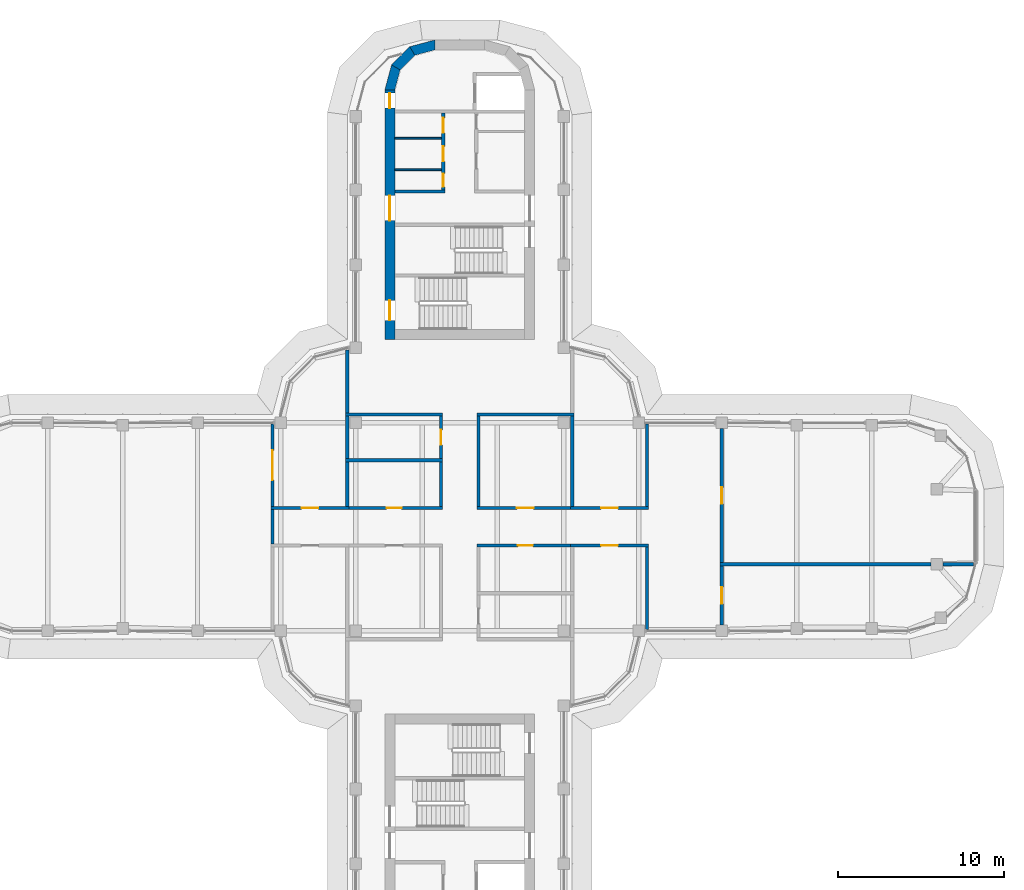
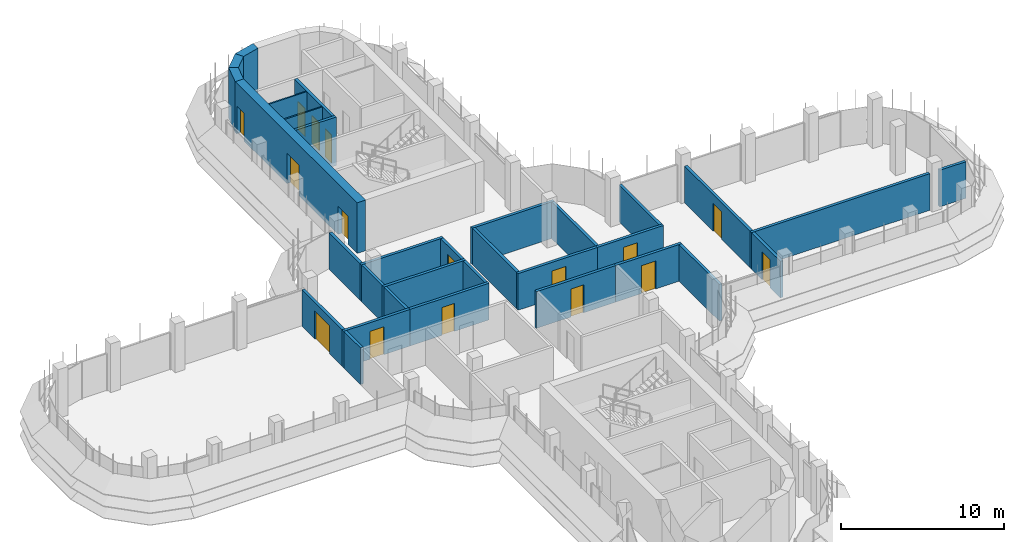
# One storey, part 14 of 19: 32 walls, 16 doors, 16 openings.
"""IFC4 building model written with IfcOpenShell, lengths in metres."""

import ifcopenshell
import ifcopenshell.guid

model = None  # the IFC model being written
_history = None  # IfcOwnerHistory: only IFC2X3 demands one
_inside = {}  # id of a spatial element -> (the spatial element, [elements in it])
_under = {}  # id of a project, library or spatial element -> (it, [spatial elements below it])
_declared = {}  # id of a project -> (the project, [libraries it declares])
_typed = {}  # id of a type object -> (the type object, [elements of that type])
_made_of = {}  # id of a material, layer set ... -> (it, [elements and type objects made of it])


def new_model(schema):
    """Start an empty IFC model of exactly this schema.

    Asked for "IFC4X3", IfcOpenShell would pick the latest addendum, in which some entities
    have other attributes; the version numbers below select the first issue.
    IFC2X3 requires an IfcOwnerHistory on every rooted entity: one is made here for all.
    """
    global model, _history
    if schema == "IFC4X3":
        model = ifcopenshell.file(schema_version=(4, 3, 0, 0))
    else:
        model = ifcopenshell.file(schema=schema)
    _inside.clear()
    _under.clear()
    _declared.clear()
    _typed.clear()
    _made_of.clear()
    _history = None
    if model.schema == "IFC2X3":
        org = make("IfcOrganization", Name="unknown")
        user = make(
            "IfcPersonAndOrganization",
            ThePerson=make("IfcPerson", FamilyName="unknown"),
            TheOrganization=org,
        )
        app = make(
            "IfcApplication",
            ApplicationDeveloper=org,
            Version="unknown",
            ApplicationFullName="unknown",
            ApplicationIdentifier="unknown",
        )
        _history = make(
            "IfcOwnerHistory",
            OwningUser=user,
            OwningApplication=app,
            ChangeAction="ADDED",
            CreationDate=0,
        )
    return model


def make(cls, **values):
    """One entity of the class cls with the attributes given. An attribute that is None is left unset."""
    return model.create_entity(
        cls, **{name: value for name, value in values.items() if value is not None}
    )


def rooted(cls, **values):
    """An entity with a GlobalId (a new one), such as an element, a storey or a relation."""
    return make(cls, GlobalId=ifcopenshell.guid.new(), OwnerHistory=_history, **values)


def si_unit(unit_type, name, prefix=None):
    """IfcSIUnit, for example si_unit("LENGTHUNIT", "METRE", prefix="MILLI")."""
    return make("IfcSIUnit", UnitType=unit_type, Prefix=prefix, Name=name)


def assignment(units):
    """IfcUnitAssignment: the units of a project."""
    return None if units is None else make("IfcUnitAssignment", Units=units)


def point(xyz):
    """IfcCartesianPoint."""
    return None if xyz is None else make("IfcCartesianPoint", Coordinates=xyz)


def direction(xyz):
    """IfcDirection."""
    return None if xyz is None else make("IfcDirection", DirectionRatios=xyz)


def frame(location, z_axis=None, x_axis=None):
    """IfcAxis2Placement3D, a coordinate frame: its origin and axes. An axis left out is left unset."""
    return make(
        "IfcAxis2Placement3D",
        Location=point(location),
        Axis=direction(z_axis),
        RefDirection=direction(x_axis),
    )


def frame_2d(location, x_axis=None):
    """IfcAxis2Placement2D, a coordinate frame in the plane: its origin and x axis."""
    return make(
        "IfcAxis2Placement2D", Location=point(location), RefDirection=direction(x_axis)
    )


def origin():
    """The frame at (0, 0, 0) with its axes left unset."""
    return frame((0.0, 0.0, 0.0))


def place(relative_to, where):
    """IfcLocalPlacement: puts the frame where relative to a parent placement (None: the world)."""
    return make(
        "IfcLocalPlacement", PlacementRelTo=relative_to, RelativePlacement=where
    )


def context(
    kind, dimensions, precision=None, world=None, true_north=None, identifier=None
):
    """IfcGeometricRepresentationContext, for example the 3D "Model" context."""
    return make(
        "IfcGeometricRepresentationContext",
        ContextIdentifier=identifier,
        ContextType=kind,
        CoordinateSpaceDimension=dimensions,
        Precision=precision,
        WorldCoordinateSystem=world,
        TrueNorth=true_north,
    )


def subcontext(parent, identifier, kind, view, scale=None):
    """IfcGeometricRepresentationSubContext, for example "Body" below "Model"."""
    return make(
        "IfcGeometricRepresentationSubContext",
        ContextIdentifier=identifier,
        ContextType=kind,
        ParentContext=parent,
        TargetScale=scale,
        TargetView=view,
    )


def project(units=None, contexts=None):
    """IfcProject with its units and contexts."""
    return rooted(
        "IfcProject",
        Name="project",
        RepresentationContexts=contexts,
        UnitsInContext=assignment(units),
    )


def spatial(cls, under=None, at=None, **own):
    """A site, building, storey or space (cls), placed at a placement, below another one or the project."""
    s = rooted(cls, ObjectPlacement=at, **own)
    if under is not None:
        _under.setdefault(under.id(), (under, []))[1].append(s)
    return s


def polyline(points):
    """IfcPolyline through the points."""
    return make("IfcPolyline", Points=[point(p) for p in points])


def profile(cls, at=None, kind="AREA", **sizes):
    """A parametric profile (cls). Its sizes go by their IFC names, for example OverallWidth=200.0."""
    return make(cls, ProfileType=kind, Position=at, **sizes)


def rectangle(**sizes):
    """IfcRectangleProfileDef."""
    return profile("IfcRectangleProfileDef", **sizes)


def outline(outer, holes=None, kind="AREA"):
    """IfcArbitraryClosedProfileDef: a profile drawn as a closed curve; with holes, ...WithVoids."""
    if holes is None:
        return make("IfcArbitraryClosedProfileDef", ProfileType=kind, OuterCurve=outer)
    return make(
        "IfcArbitraryProfileDefWithVoids",
        ProfileType=kind,
        OuterCurve=outer,
        InnerCurves=holes,
    )


def extrude(swept, where, along, depth):
    """IfcExtrudedAreaSolid: the profile swept, set in the frame where, extruded along a direction by depth."""
    return make(
        "IfcExtrudedAreaSolid",
        SweptArea=swept,
        Position=where,
        ExtrudedDirection=direction(along),
        Depth=depth,
    )


def shape(context_of_items, identifier, shape_type, items):
    """IfcShapeRepresentation: the items that make up one representation, for example the "Body"."""
    return make(
        "IfcShapeRepresentation",
        ContextOfItems=context_of_items,
        RepresentationIdentifier=identifier,
        RepresentationType=shape_type,
        Items=items,
    )


def material(Name=None, Category=None):
    """IfcMaterial."""
    return make("IfcMaterial", Name=Name, Category=Category)


def layer(
    of_material, thickness, ventilated=None, Name=None, Category=None, Priority=None
):
    """IfcMaterialLayer: one layer of a wall or slab, of a material (None: an air gap)."""
    return make(
        "IfcMaterialLayer",
        Material=of_material,
        LayerThickness=thickness,
        IsVentilated=ventilated,
        Name=Name,
        Category=Category,
        Priority=Priority,
    )


def layer_set(layers, Name=None):
    """IfcMaterialLayerSet."""
    return make("IfcMaterialLayerSet", MaterialLayers=layers, LayerSetName=Name)


def made_of(thing, what):
    """Note that an element or type object is made of a material, layer set ...; save() writes the relation."""
    if what is not None:
        _made_of.setdefault(what.id(), (what, []))[1].append(thing)
    return thing


def type_object(cls, material=None, **own):
    """A type object (cls), such as IfcWallType, which elements share."""
    return made_of(rooted(cls, **own), material)


def element(
    cls,
    number,
    at=None,
    inside=None,
    cuts=None,
    type_object=None,
    material=None,
    context=None,
    identifier="Body",
    shape_type=None,
    held_by="IfcProductDefinitionShape",
    body=None,
    shapes=None,
    **own,
):
    """One element of the class cls, such as IfcWall. Its Tag is "e" and its number.

    at: its placement. inside: the storey or other place that contains it. cuts: it is an
    opening in that element (IfcRelVoidsElement). A single representation is given by context,
    identifier, shape_type and body (its items); several are given by shapes. held_by: the class
    of the entity that holds the representations. save() writes the other relations.
    """
    e = rooted(cls, Tag="e%d" % number, ObjectPlacement=at, **own)
    if body is not None:
        shapes = [shape(context, identifier, shape_type, body)]
    if shapes is not None:
        e.Representation = make(held_by, Representations=shapes)
    if inside is not None:
        _inside.setdefault(inside.id(), (inside, []))[1].append(e)
    if cuts is not None:
        rooted(
            "IfcRelVoidsElement", RelatingBuildingElement=cuts, RelatedOpeningElement=e
        )
    if type_object is not None:
        _typed.setdefault(type_object.id(), (type_object, []))[1].append(e)
    return made_of(e, material)


def fill(opening, filler):
    """IfcRelFillsElement: the door or window that sits in an opening."""
    return rooted(
        "IfcRelFillsElement",
        RelatingOpeningElement=opening,
        RelatedBuildingElement=filler,
    )


def aggregate(whole, parts):
    """IfcRelAggregates: a whole, such as a stair, and the parts it consists of."""
    return rooted("IfcRelAggregates", RelatingObject=whole, RelatedObjects=parts)


def save(model, path):
    """Write the relations noted so far, then the file.

    IfcRelAggregates (storeys below a building ...), IfcRelContainedInSpatialStructure (elements
    in a storey), IfcRelDefinesByType, IfcRelAssociatesMaterial and IfcRelDeclares: one each for
    every whole, place, type object, material and project.
    """
    for whole, parts in _under.values():
        aggregate(whole, parts)
    for where, things in _inside.values():
        rooted(
            "IfcRelContainedInSpatialStructure",
            RelatedElements=things,
            RelatingStructure=where,
        )
    for kind, things in _typed.values():
        rooted("IfcRelDefinesByType", RelatedObjects=things, RelatingType=kind)
    for what, things in _made_of.values():
        rooted("IfcRelAssociatesMaterial", RelatedObjects=things, RelatingMaterial=what)
    for by, libraries in _declared.values():
        rooted("IfcRelDeclares", RelatingContext=by, RelatedDefinitions=libraries)
    model.write(path)


model = new_model("IFC4")

# Units and contexts
model_context = context("Model", 3, precision=1e-05, world=origin(), true_north=direction((0.0, 1.0)))
body_context = subcontext(model_context, "Body", "Model", "MODEL_VIEW")
ifc_project = project(units=[si_unit("LENGTHUNIT", "METRE"), si_unit("AREAUNIT", "SQUARE_METRE"), si_unit("VOLUMEUNIT", "CUBIC_METRE"), si_unit("PLANEANGLEUNIT", "RADIAN"), si_unit("MASSUNIT", "GRAM", prefix="KILO")], contexts=[model_context])

# Site, building, storey
site_placement = place(None, origin())
site = spatial("IfcSite", under=ifc_project, at=site_placement, CompositionType="ELEMENT")
building_placement = place(site_placement, origin())
building = spatial("IfcBuilding", under=site, at=building_placement, Name="Zarbagh Exchange Tower", CompositionType="ELEMENT")
storey_placement = place(building_placement, frame((0.0, 0.0, 229.60009765625)))
storey = spatial("IfcBuildingStorey", under=building, at=storey_placement, Name="L56", CompositionType="ELEMENT", Elevation=229.60009765625)

# Walls
ifc_material_1 = material(Name="Dense blockwork", Category="masonry")
ifc_layer_1 = layer(ifc_material_1, 0.10009765625)
ifc_layer_set_1 = layer_set([ifc_layer_1], Name="Core partition 100 mm blockwork")
wall_type_1 = type_object("IfcWallType", Name="Core partition 100 mm blockwork", PredefinedType="PARTITIONING", material=ifc_layer_set_1)
for number, where, z_axis, x_axis, name in (
    (1, (-3.89990234375, 23.35009765625, 0.0), (0.0, 0.0, 1.0), (1.0, 0.0, 0.0), "North core partition wall CUT-W-500"),
    (2, (-3.89990234375, 21.449951171875, 0.0), (0.0, 0.0, 1.0), (1.0, 0.0, 0.0), "North core partition wall CUT-W-690"),
):
    element("IfcWall", number, at=place(storey_placement, frame(where, z_axis=z_axis, x_axis=x_axis)), inside=storey, type_object=wall_type_1, Name=name, PredefinedType="PARTITIONING", context=body_context, shape_type="SweptSolid", body=[
        extrude(rectangle(XDim=2.7998046875, YDim=0.10009765625, at=frame_2d((1.39990234375, 0.0))), origin(), (0.0, 0.0, 1.0), 3.64990234375),
    ])

# Wall, opening, door
ifc_material_2 = material(Name="Fire-rated plasterboard partition")
ifc_layer_2 = layer(ifc_material_2, 0.199951171875)
ifc_layer_set_2 = layer_set([ifc_layer_2], Name="RATED PARTITION 200")
wall_type_2 = type_object("IfcWallType", Name="RATED PARTITION 200", PredefinedType="PARTITIONING", material=ifc_layer_set_2)
wall_1_placement = place(storey_placement, frame((1.02490234375, 1.125, 0.0), z_axis=(0.0, 0.0, 1.0), x_axis=(1.0, 0.0, 0.0)))
wall_1 = element("IfcWall", 3, at=wall_1_placement, inside=storey, type_object=wall_type_2, Name="Partition W-2401", PredefinedType="PARTITIONING", context=body_context, shape_type="SweptSolid", body=[
    extrude(rectangle(XDim=5.8251953125, YDim=0.199951171875, at=frame_2d((2.91259765625, 0.0))), origin(), (0.0, 0.0, 1.0), 2.75),
])
opening_1_placement = place(wall_1_placement, frame((2.41259765625, 0.0, 0.0)))
opening_1 = element("IfcOpeningElement", 4, at=opening_1_placement, cuts=wall_1, Name="Opening D-2403", PredefinedType="OPENING", context=body_context, shape_type="SweptSolid", body=[
    extrude(rectangle(XDim=1.0, YDim=2.10009765625, at=frame_2d((0.5, 1.050048828125))), frame((0.0, 0.10986328125, 0.0), z_axis=(0.0, -1.0, 0.0), x_axis=(1.0, 0.0, 0.0)), (0.0, 0.0, 1.0), 0.219970703125),
])
ifc_material_3 = material(Name="Steel door set", Category="steel")
door_type_1 = type_object("IfcDoorType", Name="FIRE DOOR 1000 X 2100 FD30S", OperationType="NOTDEFINED", PredefinedType="DOOR", material=ifc_material_3)
door_1_placement = place(opening_1_placement, origin())
door_1 = element("IfcDoor", 5, at=door_1_placement, inside=storey, type_object=door_type_1, Name="Door D-2403", OperationType="SINGLE_SWING_RIGHT", OverallHeight=2.10009765625, OverallWidth=1.0, PredefinedType="DOOR", context=body_context, shape_type="SweptSolid", body=[
    extrude(rectangle(XDim=1.0, YDim=2.10009765625, at=frame_2d((0.5, 1.050048828125))), frame((0.0, 0.02490234375, 0.0), z_axis=(0.0, -1.0, 0.0), x_axis=(1.0, 0.0, 0.0)), (0.0, 0.0, 1.0), 0.050048828125),
])
fill(opening_1, door_1)

wall_2_placement = place(storey_placement, frame((6.64990234375, 1.125, 0.0), z_axis=(0.0, 0.0, 1.0), x_axis=(1.0, 0.0, 0.0)))
wall_2 = element("IfcWall", 6, at=wall_2_placement, inside=storey, type_object=wall_type_2, Name="Partition W-2402", PredefinedType="PARTITIONING", context=body_context, shape_type="SweptSolid", body=[
    extrude(rectangle(XDim=4.7001953125, YDim=0.199951171875, at=frame_2d((2.35009765625, 0.0))), origin(), (0.0, 0.0, 1.0), 2.75),
])
opening_2_placement = place(wall_2_placement, frame((1.85009765625, 0.0, 0.0)))
opening_2 = element("IfcOpeningElement", 7, at=opening_2_placement, cuts=wall_2, Name="Opening D-2404", PredefinedType="OPENING", context=body_context, shape_type="SweptSolid", body=[
    extrude(rectangle(XDim=1.0, YDim=2.10009765625, at=frame_2d((0.5, 1.050048828125))), frame((0.0, 0.10986328125, 0.0), z_axis=(0.0, -1.0, 0.0), x_axis=(1.0, 0.0, 0.0)), (0.0, 0.0, 1.0), 0.219970703125),
])
door_2_placement = place(opening_2_placement, origin())
door_2 = element("IfcDoor", 8, at=door_2_placement, inside=storey, type_object=door_type_1, Name="Door D-2404", OperationType="SINGLE_SWING_RIGHT", OverallHeight=2.10009765625, OverallWidth=1.0, PredefinedType="DOOR", context=body_context, shape_type="SweptSolid", body=[
    extrude(rectangle(XDim=1.0, YDim=2.10009765625, at=frame_2d((0.5, 1.050048828125))), frame((0.0, 0.02490234375, 0.0), z_axis=(0.0, -1.0, 0.0), x_axis=(1.0, 0.0, 0.0)), (0.0, 0.0, 1.0), 0.050048828125),
])
fill(opening_2, door_2)

wall_3_placement = place(storey_placement, frame((-6.85009765625, 1.125, 0.0), z_axis=(0.0, 0.0, 1.0), x_axis=(1.0, 0.0, 0.0)))
wall_3 = element("IfcWall", 9, at=wall_3_placement, inside=storey, type_object=wall_type_2, Name="Partition W-2403", PredefinedType="PARTITIONING", context=body_context, shape_type="SweptSolid", body=[
    extrude(rectangle(XDim=5.8251953125, YDim=0.199951171875, at=frame_2d((2.91259765625, 0.0))), origin(), (0.0, 0.0, 1.0), 2.75),
])
opening_3_placement = place(wall_3_placement, frame((2.46240234375, 0.0, 0.0)))
opening_3 = element("IfcOpeningElement", 10, at=opening_3_placement, cuts=wall_3, Name="Opening D-2405", PredefinedType="OPENING", context=body_context, shape_type="SweptSolid", body=[
    extrude(rectangle(XDim=0.89990234375, YDim=2.10009765625, at=frame_2d((0.449951171875, 1.050048828125))), frame((0.0, 0.10986328125, 0.0), z_axis=(0.0, -1.0, 0.0), x_axis=(1.0, 0.0, 0.0)), (0.0, 0.0, 1.0), 0.219970703125),
])
ifc_material_4 = material(Name="Timber door leaf", Category="wood")
door_type_2 = type_object("IfcDoorType", Name="DOOR 900 X 2100", OperationType="NOTDEFINED", PredefinedType="DOOR", material=ifc_material_4)
door_3_placement = place(opening_3_placement, origin())
door_3 = element("IfcDoor", 11, at=door_3_placement, inside=storey, type_object=door_type_2, Name="Door D-2405", OperationType="SINGLE_SWING_RIGHT", OverallHeight=2.10009765625, OverallWidth=0.89990234375, PredefinedType="DOOR", context=body_context, shape_type="SweptSolid", body=[
    extrude(rectangle(XDim=0.89990234375, YDim=2.10009765625, at=frame_2d((0.449951171875, 1.050048828125))), frame((0.0, 0.02490234375, 0.0), z_axis=(0.0, -1.0, 0.0), x_axis=(1.0, 0.0, 0.0)), (0.0, 0.0, 1.0), 0.050048828125),
])
fill(opening_3, door_3)

wall_4_placement = place(storey_placement, frame((-11.35009765625, 1.125, 0.0), z_axis=(0.0, 0.0, 1.0), x_axis=(1.0, 0.0, 0.0)))
wall_4 = element("IfcWall", 12, at=wall_4_placement, inside=storey, type_object=wall_type_2, Name="Partition W-2404", PredefinedType="PARTITIONING", context=body_context, shape_type="SweptSolid", body=[
    extrude(rectangle(XDim=4.7001953125, YDim=0.199951171875, at=frame_2d((2.35009765625, 0.0))), origin(), (0.0, 0.0, 1.0), 2.75),
])
opening_4_placement = place(wall_4_placement, frame((1.85009765625, 0.0, 0.0)))
opening_4 = element("IfcOpeningElement", 13, at=opening_4_placement, cuts=wall_4, Name="Opening D-2407", PredefinedType="OPENING", context=body_context, shape_type="SweptSolid", body=[
    extrude(rectangle(XDim=1.0, YDim=2.10009765625, at=frame_2d((0.5, 1.050048828125))), frame((0.0, 0.10986328125, 0.0), z_axis=(0.0, -1.0, 0.0), x_axis=(1.0, 0.0, 0.0)), (0.0, 0.0, 1.0), 0.219970703125),
])
door_4_placement = place(opening_4_placement, origin())
door_4 = element("IfcDoor", 14, at=door_4_placement, inside=storey, type_object=door_type_1, Name="Door D-2407", OperationType="SINGLE_SWING_RIGHT", OverallHeight=2.10009765625, OverallWidth=1.0, PredefinedType="DOOR", context=body_context, shape_type="SweptSolid", body=[
    extrude(rectangle(XDim=1.0, YDim=2.10009765625, at=frame_2d((0.5, 1.050048828125))), frame((0.0, 0.02490234375, 0.0), z_axis=(0.0, -1.0, 0.0), x_axis=(1.0, 0.0, 0.0)), (0.0, 0.0, 1.0), 0.050048828125),
])
fill(opening_4, door_4)

wall_5_placement = place(storey_placement, frame((6.85009765625, -1.125, 0.0), z_axis=(0.0, 0.0, 1.0), x_axis=(-1.0, 0.0, 0.0)))
wall_5 = element("IfcWall", 15, at=wall_5_placement, inside=storey, type_object=wall_type_2, Name="Partition W-2405", PredefinedType="PARTITIONING", context=body_context, shape_type="SweptSolid", body=[
    extrude(rectangle(XDim=5.8251953125, YDim=0.199951171875, at=frame_2d((2.91259765625, 0.0))), origin(), (0.0, 0.0, 1.0), 2.75),
])
opening_5_placement = place(wall_5_placement, frame((2.46240234375, 0.0, 0.0)))
opening_5 = element("IfcOpeningElement", 16, at=opening_5_placement, cuts=wall_5, Name="Opening D-2408", PredefinedType="OPENING", context=body_context, shape_type="SweptSolid", body=[
    extrude(rectangle(XDim=0.89990234375, YDim=2.10009765625, at=frame_2d((0.449951171875, 1.050048828125))), frame((0.0, 0.10986328125, 0.0), z_axis=(0.0, -1.0, 0.0), x_axis=(1.0, 0.0, 0.0)), (0.0, 0.0, 1.0), 0.219970703125),
])
door_5_placement = place(opening_5_placement, origin())
door_5 = element("IfcDoor", 17, at=door_5_placement, inside=storey, type_object=door_type_2, Name="Door D-2408", OperationType="SINGLE_SWING_RIGHT", OverallHeight=2.10009765625, OverallWidth=0.89990234375, PredefinedType="DOOR", context=body_context, shape_type="SweptSolid", body=[
    extrude(rectangle(XDim=0.89990234375, YDim=2.10009765625, at=frame_2d((0.449951171875, 1.050048828125))), frame((0.0, 0.02490234375, 0.0), z_axis=(0.0, -1.0, 0.0), x_axis=(1.0, 0.0, 0.0)), (0.0, 0.0, 1.0), 0.050048828125),
])
fill(opening_5, door_5)

wall_6_placement = place(storey_placement, frame((11.35009765625, -1.125, 0.0), z_axis=(0.0, 0.0, 1.0), x_axis=(-1.0, 0.0, 0.0)))
wall_6 = element("IfcWall", 18, at=wall_6_placement, inside=storey, type_object=wall_type_2, Name="Partition W-2406", PredefinedType="PARTITIONING", context=body_context, shape_type="SweptSolid", body=[
    extrude(rectangle(XDim=4.7001953125, YDim=0.199951171875, at=frame_2d((2.35009765625, 0.0))), origin(), (0.0, 0.0, 1.0), 2.75),
])
opening_6_placement = place(wall_6_placement, frame((1.85009765625, 0.0, 0.0)))
opening_6 = element("IfcOpeningElement", 19, at=opening_6_placement, cuts=wall_6, Name="Opening D-2410", PredefinedType="OPENING", context=body_context, shape_type="SweptSolid", body=[
    extrude(rectangle(XDim=1.0, YDim=2.10009765625, at=frame_2d((0.5, 1.050048828125))), frame((0.0, 0.10986328125, 0.0), z_axis=(0.0, -1.0, 0.0), x_axis=(1.0, 0.0, 0.0)), (0.0, 0.0, 1.0), 0.219970703125),
])
door_6_placement = place(opening_6_placement, origin())
door_6 = element("IfcDoor", 20, at=door_6_placement, inside=storey, type_object=door_type_1, Name="Door D-2410", OperationType="SINGLE_SWING_RIGHT", OverallHeight=2.10009765625, OverallWidth=1.0, PredefinedType="DOOR", context=body_context, shape_type="SweptSolid", body=[
    extrude(rectangle(XDim=1.0, YDim=2.10009765625, at=frame_2d((0.5, 1.050048828125))), frame((0.0, 0.02490234375, 0.0), z_axis=(0.0, -1.0, 0.0), x_axis=(1.0, 0.0, 0.0)), (0.0, 0.0, 1.0), 0.050048828125),
])
fill(opening_6, door_6)

# Walls
wall_7_placement = place(storey_placement, frame((-11.25, -1.02490234375, 0.0), z_axis=(0.0, 0.0, 1.0), x_axis=(0.0, 1.0, 0.0)))
element("IfcWall", 21, at=wall_7_placement, inside=storey, type_object=wall_type_2, Name="Partition W-2409", PredefinedType="PARTITIONING", context=body_context, shape_type="SweptSolid", body=[
    extrude(rectangle(XDim=2.0498046875, YDim=0.199951171875, at=frame_2d((1.02490234375, 0.0))), origin(), (0.0, 0.0, 1.0), 2.75),
])
wall_8_placement = place(storey_placement, frame((1.125, 1.22509765625, 0.0), z_axis=(0.0, 0.0, 1.0), x_axis=(0.0, 1.0, 0.0)))
element("IfcWall", 22, at=wall_8_placement, inside=storey, type_object=wall_type_2, Name="Partition W-2410", PredefinedType="PARTITIONING", context=body_context, shape_type="SweptSolid", body=[
    extrude(rectangle(XDim=5.4248046875, YDim=0.199951171875, at=frame_2d((2.71240234375, 0.0))), origin(), (0.0, 0.0, 1.0), 2.75),
])
wall_9_placement = place(storey_placement, frame((-1.125, 1.22509765625, 0.0), z_axis=(0.0, 0.0, 1.0), x_axis=(0.0, 1.0, 0.0)))
element("IfcWall", 23, at=wall_9_placement, inside=storey, type_object=wall_type_2, Name="Partition W-2411", PredefinedType="PARTITIONING", context=body_context, shape_type="SweptSolid", body=[
    extrude(rectangle(XDim=2.6748046875, YDim=0.199951171875, at=frame_2d((1.33740234375, 0.0))), origin(), (0.0, 0.0, 1.0), 2.75),
])

# Wall, opening, door
wall_10_placement = place(storey_placement, frame((-1.125, 4.10009765625, 0.0), z_axis=(0.0, 0.0, 1.0), x_axis=(0.0, 1.0, 0.0)))
wall_10 = element("IfcWall", 24, at=wall_10_placement, inside=storey, type_object=wall_type_2, Name="Partition W-2412", PredefinedType="PARTITIONING", context=body_context, shape_type="SweptSolid", body=[
    extrude(rectangle(XDim=2.5498046875, YDim=0.199951171875, at=frame_2d((1.27490234375, 0.0))), origin(), (0.0, 0.0, 1.0), 2.75),
])
opening_7_placement = place(wall_10_placement, frame((0.824951171875, 0.0, 0.0)))
opening_7 = element("IfcOpeningElement", 25, at=opening_7_placement, cuts=wall_10, Name="Opening D-2406", PredefinedType="OPENING", context=body_context, shape_type="SweptSolid", body=[
    extrude(rectangle(XDim=0.89990234375, YDim=2.10009765625, at=frame_2d((0.449951171875, 1.050048828125))), frame((0.0, 0.10986328125, 0.0), z_axis=(0.0, -1.0, 0.0), x_axis=(1.0, 0.0, 0.0)), (0.0, 0.0, 1.0), 0.219970703125),
])
door_7_placement = place(opening_7_placement, origin())
door_7 = element("IfcDoor", 26, at=door_7_placement, inside=storey, type_object=door_type_2, Name="Door D-2406", OperationType="SINGLE_SWING_RIGHT", OverallHeight=2.10009765625, OverallWidth=0.89990234375, PredefinedType="DOOR", context=body_context, shape_type="SweptSolid", body=[
    extrude(rectangle(XDim=0.89990234375, YDim=2.10009765625, at=frame_2d((0.449951171875, 1.050048828125))), frame((0.0, 0.02490234375, 0.0), z_axis=(0.0, -1.0, 0.0), x_axis=(1.0, 0.0, 0.0)), (0.0, 0.0, 1.0), 0.050048828125),
])
fill(opening_7, door_7)

# Walls
for number, where, z_axis, x_axis, name in (
    (27, (1.02490234375, 6.75, 0.0), (0.0, 0.0, 1.0), (1.0, 0.0, 0.0), "Partition W-2416"),
    (28, (-6.85009765625, 6.75, 0.0), (0.0, 0.0, 1.0), (1.0, 0.0, 0.0), "Partition W-2418"),
):
    element("IfcWall", number, at=place(storey_placement, frame(where, z_axis=z_axis, x_axis=x_axis)), inside=storey, type_object=wall_type_2, Name=name, PredefinedType="PARTITIONING", context=body_context, shape_type="SweptSolid", body=[
        extrude(rectangle(XDim=5.8251953125, YDim=0.199951171875, at=frame_2d((2.91259765625, 0.0))), origin(), (0.0, 0.0, 1.0), 2.75),
    ])
wall_11_placement = place(storey_placement, frame((-6.75, 6.85009765625, 0.0), z_axis=(0.0, 0.0, 1.0), x_axis=(0.0, 1.0, 0.0)))
element("IfcWall", 29, at=wall_11_placement, inside=storey, type_object=wall_type_2, Name="Partition W-2419", PredefinedType="PARTITIONING", context=body_context, shape_type="SweptSolid", body=[
    extrude(rectangle(XDim=3.77978515625, YDim=0.199951171875, at=frame_2d((1.889892578125, 0.0))), origin(), (0.0, 0.0, 1.0), 2.75),
])
wall_12_placement = place(storey_placement, frame((6.75, 1.22509765625, 0.0), z_axis=(0.0, 0.0, 1.0), x_axis=(0.0, 1.0, 0.0)))
element("IfcWall", 30, at=wall_12_placement, inside=storey, type_object=wall_type_2, Name="Partition W-2424", PredefinedType="PARTITIONING", context=body_context, shape_type="SweptSolid", body=[
    extrude(rectangle(XDim=5.4248046875, YDim=0.199951171875, at=frame_2d((2.71240234375, 0.0))), origin(), (0.0, 0.0, 1.0), 2.75),
])
wall_13_placement = place(storey_placement, frame((11.25, 1.22509765625, 0.0), z_axis=(0.0, 0.0, 1.0), x_axis=(0.0, 1.0, 0.0)))
element("IfcWall", 31, at=wall_13_placement, inside=storey, type_object=wall_type_2, Name="Partition W-2425", PredefinedType="PARTITIONING", context=body_context, shape_type="SweptSolid", body=[
    extrude(rectangle(XDim=4.94482421875, YDim=0.199951171875, at=frame_2d((2.472412109375, 0.0))), origin(), (0.0, 0.0, 1.0), 2.75),
])
wall_14_placement = place(storey_placement, frame((-6.85009765625, 4.0, 0.0), z_axis=(0.0, 0.0, 1.0), x_axis=(1.0, 0.0, 0.0)))
element("IfcWall", 32, at=wall_14_placement, inside=storey, type_object=wall_type_2, Name="Partition W-2426", PredefinedType="PARTITIONING", context=body_context, shape_type="SweptSolid", body=[
    extrude(rectangle(XDim=5.8251953125, YDim=0.199951171875, at=frame_2d((2.91259765625, 0.0))), origin(), (0.0, 0.0, 1.0), 2.75),
])
wall_15_placement = place(storey_placement, frame((-6.75, 1.22509765625, 0.0), z_axis=(0.0, 0.0, 1.0), x_axis=(0.0, 1.0, 0.0)))
element("IfcWall", 33, at=wall_15_placement, inside=storey, type_object=wall_type_2, Name="Partition W-2427", PredefinedType="PARTITIONING", context=body_context, shape_type="SweptSolid", body=[
    extrude(rectangle(XDim=2.6748046875, YDim=0.199951171875, at=frame_2d((1.33740234375, 0.0))), origin(), (0.0, 0.0, 1.0), 2.75),
])
wall_16_placement = place(storey_placement, frame((-6.75, 4.10009765625, 0.0), z_axis=(0.0, 0.0, 1.0), x_axis=(0.0, 1.0, 0.0)))
element("IfcWall", 34, at=wall_16_placement, inside=storey, type_object=wall_type_2, Name="Partition W-2428", PredefinedType="PARTITIONING", context=body_context, shape_type="SweptSolid", body=[
    extrude(rectangle(XDim=2.5498046875, YDim=0.199951171875, at=frame_2d((1.27490234375, 0.0))), origin(), (0.0, 0.0, 1.0), 2.75),
])

# Wall, opening, door
wall_17_placement = place(storey_placement, frame((-11.25, 1.22509765625, 0.0), z_axis=(0.0, 0.0, 1.0), x_axis=(0.0, 1.0, 0.0)))
wall_17 = element("IfcWall", 35, at=wall_17_placement, inside=storey, type_object=wall_type_2, Name="Partition W-2429", PredefinedType="PARTITIONING", context=body_context, shape_type="SweptSolid", body=[
    extrude(rectangle(XDim=4.94482421875, YDim=0.199951171875, at=frame_2d((2.472412109375, 0.0))), origin(), (0.0, 0.0, 1.0), 2.75),
])
opening_8_placement = place(wall_17_placement, frame((1.572509765625, 0.0, 0.0)))
opening_8 = element("IfcOpeningElement", 36, at=opening_8_placement, cuts=wall_17, Name="Opening D-2413", PredefinedType="OPENING", context=body_context, shape_type="SweptSolid", body=[
    extrude(rectangle(XDim=1.800048828125, YDim=2.10009765625, at=frame_2d((0.89990234375, 1.050048828125))), frame((0.0, 0.10986328125, 0.0), z_axis=(0.0, -1.0, 0.0), x_axis=(1.0, 0.0, 0.0)), (0.0, 0.0, 1.0), 0.219970703125),
])
door_type_3 = type_object("IfcDoorType", Name="FIRE DOUBLE DOOR 1800 X 2100 FD30S", OperationType="DOUBLE_DOOR_SINGLE_SWING", PredefinedType="DOOR", material=ifc_material_3)
door_8_placement = place(opening_8_placement, origin())
door_8 = element("IfcDoor", 37, at=door_8_placement, inside=storey, type_object=door_type_3, Name="Door D-2413", OperationType="DOUBLE_DOOR_SINGLE_SWING", OverallHeight=2.10009765625, OverallWidth=1.800048828125, PredefinedType="DOOR", context=body_context, shape_type="SweptSolid", body=[
    extrude(rectangle(XDim=1.800048828125, YDim=2.10009765625, at=frame_2d((0.89990234375, 1.050048828125))), frame((0.0, 0.02490234375, 0.0), z_axis=(0.0, -1.0, 0.0), x_axis=(1.0, 0.0, 0.0)), (0.0, 0.0, 1.0), 0.050048828125),
])
fill(opening_8, door_8)

# Wall
wall_18_placement = place(storey_placement, frame((11.25, -6.169921875, 0.0), z_axis=(0.0, 0.0, 1.0), x_axis=(0.0, 1.0, 0.0)))
element("IfcWall", 38, at=wall_18_placement, inside=storey, type_object=wall_type_2, Name="Partition W-2433", PredefinedType="PARTITIONING", context=body_context, shape_type="SweptSolid", body=[
    extrude(rectangle(XDim=4.94482421875, YDim=0.199951171875, at=frame_2d((2.472412109375, 0.0))), origin(), (0.0, 0.0, 1.0), 2.75),
])

# Wall, opening, door
wall_19_placement = place(storey_placement, frame((15.75, -2.35009765625, 0.0), z_axis=(0.0, 0.0, 1.0), x_axis=(0.0, -1.0, 0.0)))
wall_19 = element("IfcWall", 39, at=wall_19_placement, inside=storey, type_object=wall_type_2, Name="Partition W-2436", PredefinedType="PARTITIONING", context=body_context, shape_type="SweptSolid", body=[
    extrude(rectangle(XDim=3.5498046875, YDim=0.199951171875, at=frame_2d((1.77490234375, 0.0))), origin(), (0.0, 0.0, 1.0), 2.75),
])
opening_9_placement = place(wall_19_placement, frame((1.27490234375, 0.0, 0.0)))
opening_9 = element("IfcOpeningElement", 40, at=opening_9_placement, cuts=wall_19, Name="Opening D-2401", PredefinedType="OPENING", context=body_context, shape_type="SweptSolid", body=[
    extrude(rectangle(XDim=1.0, YDim=2.10009765625, at=frame_2d((0.5, 1.050048828125))), frame((0.0, 0.10986328125, 0.0), z_axis=(0.0, -1.0, 0.0), x_axis=(1.0, 0.0, 0.0)), (0.0, 0.0, 1.0), 0.219970703125),
])
door_9_placement = place(opening_9_placement, origin())
door_9 = element("IfcDoor", 41, at=door_9_placement, inside=storey, type_object=door_type_1, Name="Door D-2401", OperationType="SINGLE_SWING_LEFT", OverallHeight=2.10009765625, OverallWidth=1.0, PredefinedType="DOOR", context=body_context, shape_type="SweptSolid", body=[
    extrude(rectangle(XDim=1.0, YDim=2.10009765625, at=frame_2d((0.5, 1.050048828125))), frame((0.0, 0.02490234375, 0.0), z_axis=(0.0, -1.0, 0.0), x_axis=(1.0, 0.0, 0.0)), (0.0, 0.0, 1.0), 0.050048828125),
])
fill(opening_9, door_9)

wall_20_placement = place(storey_placement, frame((15.75, 5.89990234375, 0.0), z_axis=(0.0, 0.0, 1.0), x_axis=(0.0, -1.0, 0.0)))
wall_20 = element("IfcWall", 42, at=wall_20_placement, inside=storey, type_object=wall_type_2, Name="Partition W-2437", PredefinedType="PARTITIONING", context=body_context, shape_type="SweptSolid", body=[
    extrude(rectangle(XDim=8.0498046875, YDim=0.199951171875, at=frame_2d((4.02490234375, 0.0))), origin(), (0.0, 0.0, 1.0), 2.75),
])
opening_10_placement = place(wall_20_placement, frame((3.52490234375, 0.0, 0.0)))
opening_10 = element("IfcOpeningElement", 43, at=opening_10_placement, cuts=wall_20, Name="Opening D-2402", PredefinedType="OPENING", context=body_context, shape_type="SweptSolid", body=[
    extrude(rectangle(XDim=1.0, YDim=2.10009765625, at=frame_2d((0.5, 1.050048828125))), frame((0.0, 0.10986328125, 0.0), z_axis=(0.0, -1.0, 0.0), x_axis=(1.0, 0.0, 0.0)), (0.0, 0.0, 1.0), 0.219970703125),
])
door_10_placement = place(opening_10_placement, origin())
door_10 = element("IfcDoor", 44, at=door_10_placement, inside=storey, type_object=door_type_1, Name="Door D-2402", OperationType="SINGLE_SWING_RIGHT", OverallHeight=2.10009765625, OverallWidth=1.0, PredefinedType="DOOR", context=body_context, shape_type="SweptSolid", body=[
    extrude(rectangle(XDim=1.0, YDim=2.10009765625, at=frame_2d((0.5, 1.050048828125))), frame((0.0, 0.02490234375, 0.0), z_axis=(0.0, -1.0, 0.0), x_axis=(1.0, 0.0, 0.0)), (0.0, 0.0, 1.0), 0.050048828125),
])
fill(opening_10, door_10)

# Walls
wall_21_placement = place(storey_placement, frame((15.64990234375, -2.25, 0.0), z_axis=(0.0, 0.0, 1.0), x_axis=(1.0, 0.0, 0.0)))
element("IfcWall", 45, at=wall_21_placement, inside=storey, type_object=wall_type_2, Name="Partition W-2438", PredefinedType="PARTITIONING", context=body_context, shape_type="SweptSolid", body=[
    extrude(rectangle(XDim=12.670166015625, YDim=0.199951171875, at=frame_2d((6.3349609375, 0.0))), origin(), (0.0, 0.0, 1.0), 2.75),
])
wall_22_placement = place(storey_placement, frame((29.02001953125, -2.25, 0.0), z_axis=(0.0, 0.0, 1.0), x_axis=(1.0, 0.0, 0.0)))
element("IfcWall", 46, at=wall_22_placement, inside=storey, type_object=wall_type_2, Name="Partition W-2439", PredefinedType="PARTITIONING", context=body_context, shape_type="SweptSolid", body=[
    extrude(rectangle(XDim=1.85986328125, YDim=0.199951171875, at=frame_2d((0.929931640625, 0.0))), origin(), (0.0, 0.0, 1.0), 2.75),
])
ifc_material_5 = material(Name="Concrete C50/60", Category="concrete")
ifc_layer_3 = layer(ifc_material_5, 0.60009765625)
ifc_layer_set_3 = layer_set([ifc_layer_3], Name="RC core corner wall 600 C50/60")
wall_type_3 = type_object("IfcWallType", Name="RC core corner wall 600 C50/60", PredefinedType="SHEAR", material=ifc_layer_set_3)
wall_23_placement = place(storey_placement, origin())
element("IfcWall", 47, at=wall_23_placement, inside=storey, type_object=wall_type_3, Name="CW8 core N corner W", PredefinedType="SHEAR", context=body_context, shape_type="SweptSolid", body=[
    extrude(outline(polyline([(-4.5, 26.25), (-4.09814453125, 27.75), (-3.57861328125, 27.449951171875), (-3.89990234375, 26.25), (-4.5, 26.25)])), origin(), (0.0, 0.0, 1.0), 3.7998046875),
])
wall_24_placement = place(storey_placement, origin())
element("IfcWall", 48, at=wall_24_placement, inside=storey, type_object=wall_type_3, Name="CW8 core N corner W", PredefinedType="SHEAR", context=body_context, shape_type="SweptSolid", body=[
    extrude(outline(polyline([(-4.09814453125, 27.75), (-3.0, 28.84814453125), (-2.699951171875, 28.32861328125), (-3.57861328125, 27.449951171875), (-4.09814453125, 27.75)])), origin(), (0.0, 0.0, 1.0), 3.7998046875),
])
wall_25_placement = place(storey_placement, origin())
element("IfcWall", 49, at=wall_25_placement, inside=storey, type_object=wall_type_3, Name="CW8 core N corner W", PredefinedType="SHEAR", context=body_context, shape_type="SweptSolid", body=[
    extrude(outline(polyline([(-3.0, 28.84814453125), (-1.5, 29.25), (-1.5, 28.64990234375), (-2.699951171875, 28.32861328125), (-3.0, 28.84814453125)])), origin(), (0.0, 0.0, 1.0), 3.7998046875),
])

# Wall, openings, doors
ifc_layer_4 = layer(ifc_material_5, 0.60009765625)
ifc_layer_set_4 = layer_set([ifc_layer_4], Name="RC core wall 600 C50/60")
wall_type_4 = type_object("IfcWallType", Name="RC core wall 600 C50/60", PredefinedType="SHEAR", material=ifc_layer_set_4)
wall_26_placement = place(storey_placement, frame((-4.199951171875, 11.25, 0.0), z_axis=(0.0, 0.0, 1.0), x_axis=(0.0, 1.0, 0.0)))
wall_26 = element("IfcWall", 50, at=wall_26_placement, inside=storey, type_object=wall_type_4, Name="CW7 core N W", PredefinedType="SHEAR", context=body_context, shape_type="SweptSolid", body=[
    extrude(rectangle(XDim=15.0, YDim=0.60009765625, at=frame_2d((7.5, 0.0))), origin(), (0.0, 0.0, 1.0), 3.7998046875),
])
opening_11_placement = place(wall_26_placement, frame((7.14990234375, 0.0, 0.0)))
opening_11 = element("IfcOpeningElement", 51, at=opening_11_placement, cuts=wall_26, Name="Opening CD1-1500", PredefinedType="OPENING", context=body_context, shape_type="SweptSolid", body=[
    extrude(rectangle(XDim=1.5, YDim=2.300048828125, at=frame_2d((0.75, 1.14990234375))), frame((0.0, 0.31005859375, 0.0), z_axis=(0.0, -1.0, 0.0), x_axis=(1.0, 0.0, 0.0)), (0.0, 0.0, 1.0), 0.6201171875),
])
opening_12_placement = place(wall_26_placement, frame((13.89990234375, 0.0, 0.0)))
opening_12 = element("IfcOpeningElement", 52, at=opening_12_placement, cuts=wall_26, Name="Opening CD2-900", PredefinedType="OPENING", context=body_context, shape_type="SweptSolid", body=[
    extrude(rectangle(XDim=0.89990234375, YDim=2.10009765625, at=frame_2d((0.449951171875, 1.050048828125))), frame((0.0, 0.31005859375, 0.0), z_axis=(0.0, -1.0, 0.0), x_axis=(1.0, 0.0, 0.0)), (0.0, 0.0, 1.0), 0.6201171875),
])
opening_13_placement = place(wall_26_placement, frame((1.14990234375, 0.0, 0.0)))
opening_13 = element("IfcOpeningElement", 53, at=opening_13_placement, cuts=wall_26, Name="Opening SD1-1200", PredefinedType="OPENING", context=body_context, shape_type="SweptSolid", body=[
    extrude(rectangle(XDim=1.199951171875, YDim=2.10009765625, at=frame_2d((0.60009765625, 1.050048828125))), frame((0.0, 0.31005859375, 0.0), z_axis=(0.0, -1.0, 0.0), x_axis=(1.0, 0.0, 0.0)), (0.0, 0.0, 1.0), 0.6201171875),
])
ifc_material_6 = material(Name="Steel", Category="steel")
door_type_4 = type_object("IfcDoorType", Name="Exit stair door 1200 x 2100", OperationType="NOTDEFINED", PredefinedType="DOOR", material=ifc_material_6)
door_11_placement = place(opening_13_placement, origin())
door_11 = element("IfcDoor", 54, at=door_11_placement, inside=storey, type_object=door_type_4, Name="North core stair door ST2", OperationType="SINGLE_SWING_LEFT", OverallHeight=2.10009765625, OverallWidth=1.199951171875, PredefinedType="DOOR", context=body_context, shape_type="SweptSolid", body=[
    extrude(rectangle(XDim=1.199951171875, YDim=2.10009765625, at=frame_2d((0.60009765625, 1.050048828125))), frame((0.0, 0.02490234375, 0.0), z_axis=(0.0, -1.0, 0.0), x_axis=(1.0, 0.0, 0.0)), (0.0, 0.0, 1.0), 0.050048828125),
])
fill(opening_13, door_11)
door_type_5 = type_object("IfcDoorType", Name="Firefighting lobby door 900 x 2100", OperationType="NOTDEFINED", PredefinedType="DOOR", material=ifc_material_6)
door_12_placement = place(opening_12_placement, origin())
door_12 = element("IfcDoor", 55, at=door_12_placement, inside=storey, type_object=door_type_5, Name="North core firefighting lobby door FF-W", OperationType="SINGLE_SWING_LEFT", OverallHeight=2.10009765625, OverallWidth=0.89990234375, PredefinedType="DOOR", context=body_context, shape_type="SweptSolid", body=[
    extrude(rectangle(XDim=0.89990234375, YDim=2.10009765625, at=frame_2d((0.449951171875, 1.050048828125))), frame((0.0, 0.02490234375, 0.0), z_axis=(0.0, -1.0, 0.0), x_axis=(1.0, 0.0, 0.0)), (0.0, 0.0, 1.0), 0.050048828125),
])
fill(opening_12, door_12)
door_type_6 = type_object("IfcDoorType", Name="Lift lobby double door 1500 x 2300", OperationType="NOTDEFINED", PredefinedType="DOOR", material=ifc_material_6)
door_13_placement = place(opening_11_placement, origin())
door_13 = element("IfcDoor", 56, at=door_13_placement, inside=storey, type_object=door_type_6, Name="North core lift lobby door LOBBY-W", OperationType="DOUBLE_DOOR_SINGLE_SWING", OverallHeight=2.300048828125, OverallWidth=1.5, PredefinedType="DOOR", context=body_context, shape_type="SweptSolid", body=[
    extrude(rectangle(XDim=1.5, YDim=2.300048828125, at=frame_2d((0.75, 1.14990234375))), frame((0.0, 0.02490234375, 0.0), z_axis=(0.0, -1.0, 0.0), x_axis=(1.0, 0.0, 0.0)), (0.0, 0.0, 1.0), 0.050048828125),
])
fill(opening_11, door_13)

# Wall
ifc_layer_5 = layer(ifc_material_1, 0.199951171875)
ifc_layer_set_5 = layer_set([ifc_layer_5], Name="Shaft wall 200 mm blockwork")
wall_type_5 = type_object("IfcWallType", Name="Shaft wall 200 mm blockwork", PredefinedType="PARTITIONING", material=ifc_layer_set_5)
wall_27_placement = place(storey_placement, frame((-3.89990234375, 20.14990234375, 0.0), z_axis=(0.0, 0.0, 1.0), x_axis=(1.0, 0.0, 0.0)))
element("IfcWall", 57, at=wall_27_placement, inside=storey, type_object=wall_type_5, Name="North core shaft wall AB-W", PredefinedType="PARTITIONING", context=body_context, shape_type="SweptSolid", body=[
    extrude(rectangle(XDim=3.0, YDim=0.199951171875, at=frame_2d((1.5, 0.0))), origin(), (0.0, 0.0, 1.0), 3.64990234375),
])

# Wall, openings, doors
wall_28_placement = place(storey_placement, frame((-1.0, 24.85009765625, 0.0), z_axis=(0.0, 0.0, 1.0), x_axis=(0.0, -1.0, 0.0)))
wall_28 = element("IfcWall", 58, at=wall_28_placement, inside=storey, type_object=wall_type_5, Name="North core shaft wall LW-W", PredefinedType="PARTITIONING", context=body_context, shape_type="SweptSolid", body=[
    extrude(rectangle(XDim=4.60009765625, YDim=0.199951171875, at=frame_2d((2.300048828125, 0.0))), origin(), (0.0, 0.0, 1.0), 3.64990234375),
])
opening_14_placement = place(wall_28_placement, frame((0.27490234375, 0.0, 0.0)))
opening_14 = element("IfcOpeningElement", 59, at=opening_14_placement, cuts=wall_28, Name="Opening CD3-900", PredefinedType="OPENING", context=body_context, shape_type="SweptSolid", body=[
    extrude(rectangle(XDim=0.89990234375, YDim=2.10009765625, at=frame_2d((0.449951171875, 1.050048828125))), frame((0.0, 0.10986328125, 0.0), z_axis=(0.0, -1.0, 0.0), x_axis=(1.0, 0.0, 0.0)), (0.0, 0.0, 1.0), 0.219970703125),
])
opening_15_placement = place(wall_28_placement, frame((2.0, 0.0, 0.0)))
opening_15 = element("IfcOpeningElement", 60, at=opening_15_placement, cuts=wall_28, Name="Opening CD3-900", PredefinedType="OPENING", context=body_context, shape_type="SweptSolid", body=[
    extrude(rectangle(XDim=0.89990234375, YDim=2.10009765625, at=frame_2d((0.449951171875, 1.050048828125))), frame((0.0, 0.10986328125, 0.0), z_axis=(0.0, -1.0, 0.0), x_axis=(1.0, 0.0, 0.0)), (0.0, 0.0, 1.0), 0.219970703125),
])
opening_16_placement = place(wall_28_placement, frame((3.625, 0.0, 0.0)))
opening_16 = element("IfcOpeningElement", 61, at=opening_16_placement, cuts=wall_28, Name="Opening CD3-800", PredefinedType="OPENING", context=body_context, shape_type="SweptSolid", body=[
    extrude(rectangle(XDim=0.800048828125, YDim=2.10009765625, at=frame_2d((0.39990234375, 1.050048828125))), frame((0.0, 0.10986328125, 0.0), z_axis=(0.0, -1.0, 0.0), x_axis=(1.0, 0.0, 0.0)), (0.0, 0.0, 1.0), 0.219970703125),
])
door_type_7 = type_object("IfcDoorType", Name="Core room door 800 x 2100", OperationType="NOTDEFINED", PredefinedType="DOOR", material=ifc_material_6)
door_14_placement = place(opening_16_placement, origin())
door_14 = element("IfcDoor", 62, at=door_14_placement, inside=storey, type_object=door_type_7, Name="North core IT room door RD-W-2", OperationType="SINGLE_SWING_LEFT", OverallHeight=2.10009765625, OverallWidth=0.800048828125, PredefinedType="DOOR", context=body_context, shape_type="SweptSolid", body=[
    extrude(rectangle(XDim=0.800048828125, YDim=2.10009765625, at=frame_2d((0.39990234375, 1.050048828125))), frame((0.0, 0.02490234375, 0.0), z_axis=(0.0, -1.0, 0.0), x_axis=(1.0, 0.0, 0.0)), (0.0, 0.0, 1.0), 0.050048828125),
])
fill(opening_16, door_14)
door_type_8 = type_object("IfcDoorType", Name="Core room door 900 x 2100", OperationType="NOTDEFINED", PredefinedType="DOOR", material=ifc_material_6)
door_15_placement = place(opening_14_placement, origin())
door_15 = element("IfcDoor", 63, at=door_15_placement, inside=storey, type_object=door_type_8, Name="North core Cleaner's store door RD-W-0", OperationType="SINGLE_SWING_RIGHT", OverallHeight=2.10009765625, OverallWidth=0.89990234375, PredefinedType="DOOR", context=body_context, shape_type="SweptSolid", body=[
    extrude(rectangle(XDim=0.89990234375, YDim=2.10009765625, at=frame_2d((0.449951171875, 1.050048828125))), frame((0.0, 0.02490234375, 0.0), z_axis=(0.0, -1.0, 0.0), x_axis=(1.0, 0.0, 0.0)), (0.0, 0.0, 1.0), 0.050048828125),
])
fill(opening_14, door_15)
door_16_placement = place(opening_15_placement, origin())
door_16 = element("IfcDoor", 64, at=door_16_placement, inside=storey, type_object=door_type_8, Name="North core Pantry door RD-W-1", OperationType="SINGLE_SWING_LEFT", OverallHeight=2.10009765625, OverallWidth=0.89990234375, PredefinedType="DOOR", context=body_context, shape_type="SweptSolid", body=[
    extrude(rectangle(XDim=0.89990234375, YDim=2.10009765625, at=frame_2d((0.449951171875, 1.050048828125))), frame((0.0, 0.02490234375, 0.0), z_axis=(0.0, -1.0, 0.0), x_axis=(1.0, 0.0, 0.0)), (0.0, 0.0, 1.0), 0.050048828125),
])
fill(opening_15, door_16)

save(model, "model.ifc")
